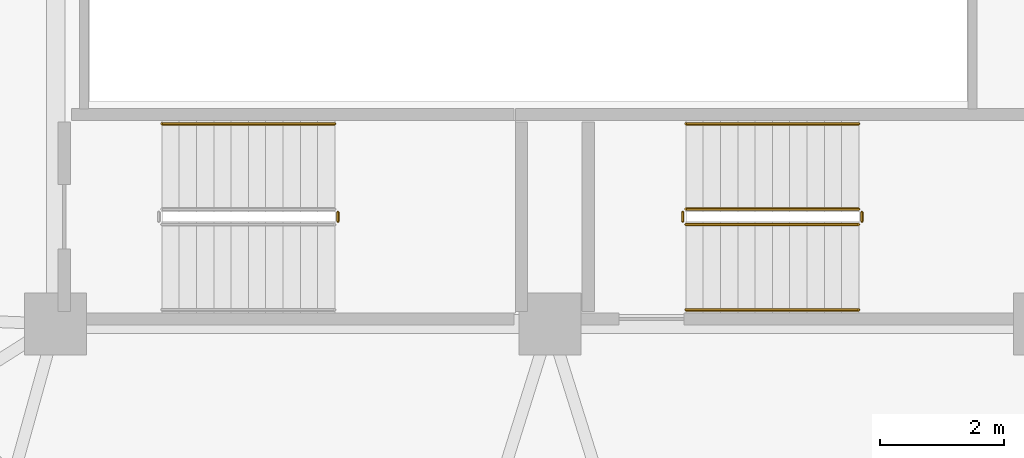
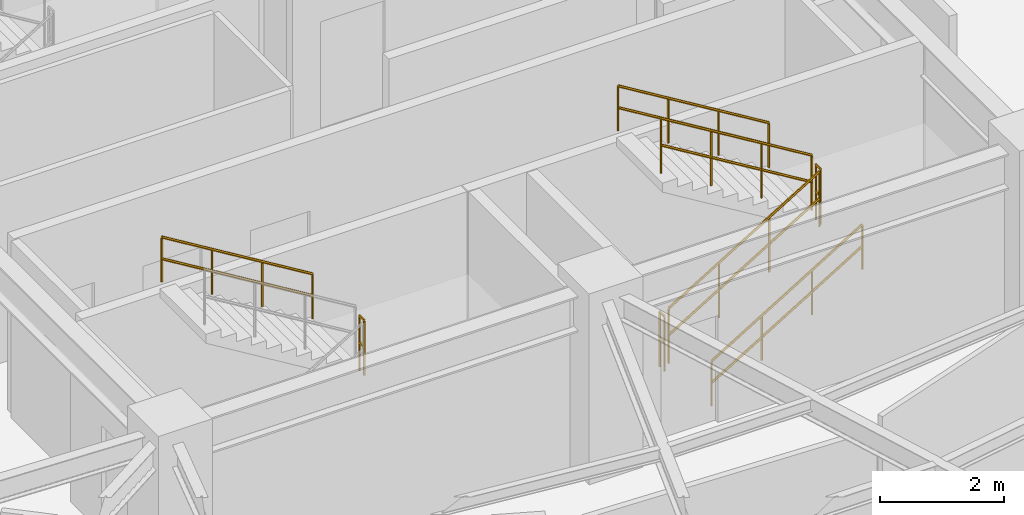
# One storey, part 29 of 31: 8 railings.
"""IFC4 building model written with IfcOpenShell, lengths in metres."""

from ifc_helpers import new_model, si_unit, direction, frame, origin, place, context, subcontext, project, spatial, polyline, outline, extrude, material, type_object, element, save


model = new_model("IFC4")

# Units and contexts
model_context = context("Model", 3, precision=1e-05, world=origin(), true_north=direction((0.0, 1.0)))
body_context = subcontext(model_context, "Body", "Model", "MODEL_VIEW")
ifc_project = project(units=[si_unit("LENGTHUNIT", "METRE"), si_unit("AREAUNIT", "SQUARE_METRE"), si_unit("VOLUMEUNIT", "CUBIC_METRE"), si_unit("PLANEANGLEUNIT", "RADIAN"), si_unit("MASSUNIT", "GRAM", prefix="KILO")], contexts=[model_context])

# Site, building, storey
site_placement = place(None, origin())
site = spatial("IfcSite", under=ifc_project, at=site_placement, CompositionType="ELEMENT")
building_placement = place(site_placement, origin())
building = spatial("IfcBuilding", under=site, at=building_placement, Name="Kelanora Arch Commons", CompositionType="ELEMENT")
storey_placement = place(building_placement, frame((0.0, 0.0, 219.449951171875)))
storey = spatial("IfcBuildingStorey", under=building, at=storey_placement, Name="L56", CompositionType="ELEMENT", Elevation=219.449951171875)

# Railings
ifc_material_1 = material(Name="Painted steel stair well guard", Category="steel")
railing_type_1 = type_object("IfcRailingType", Name="RAIL-STAIR-GRD", PredefinedType="GUARDRAIL", material=ifc_material_1)
railing_1_placement = place(storey_placement, frame((76.199951171875, 52.610107421875, 0.17041015625)))
element("IfcRailing", 1, at=railing_1_placement, inside=storey, type_object=railing_type_1, Name="L56 ST-T2 stair guard 1", PredefinedType="GUARDRAIL", context=body_context, shape_type="SweptSolid", body=[
    extrude(outline(polyline([(0.02392578125, 0.0), (0.011962890625, 0.020751953125), (-0.011962890625, 0.020751953125), (-0.02392578125, 0.0), (-0.011962890625, -0.020751953125), (0.011962890625, -0.020751953125), (0.02392578125, 0.0)])), frame((0.0, 0.0, 1.076171875), z_axis=(0.854169791009, 0.0, 0.51999420009), x_axis=(0.0, 1.0, 0.0)), (0.0, 0.0, 1.0), 3.278076171875),
    extrude(outline(polyline([(0.02392578125, 0.0), (0.011962890625, 0.020751953125), (-0.011962890625, 0.020751953125), (-0.02392578125, 0.0), (-0.011962890625, -0.020751953125), (0.011962890625, -0.020751953125), (0.02392578125, 0.0)])), frame((0.0, 0.0, 0.550048828125), z_axis=(0.854169791009, 0.0, 0.51999420009), x_axis=(0.0, 1.0, 0.0)), (0.0, 0.0, 1.0), 3.278076171875),
    extrude(outline(polyline([(0.02099609375, 0.0), (0.010498046875, 0.01806640625), (-0.010498046875, 0.01806640625), (-0.02099609375, 0.0), (-0.010498046875, -0.01806640625), (0.010498046875, -0.01806640625), (0.02099609375, 0.0)])), origin(), (0.0, 0.0, 1.0), 1.052001953125),
    extrude(outline(polyline([(0.02099609375, 0.0), (0.010498046875, 0.01806640625), (-0.010498046875, 0.01806640625), (-0.02099609375, 0.0), (-0.010498046875, -0.01806640625), (0.010498046875, -0.01806640625), (0.02099609375, 0.0)])), frame((0.933349609375, 0.0, 0.568115234375)), (0.0, 0.0, 1.0), 1.052001953125),
    extrude(outline(polyline([(0.02099609375, 0.0), (0.010498046875, 0.01806640625), (-0.010498046875, 0.01806640625), (-0.02099609375, 0.0), (-0.010498046875, -0.01806640625), (0.010498046875, -0.01806640625), (0.02099609375, 0.0)])), frame((1.86669921875, 0.0, 1.136474609375)), (0.0, 0.0, 1.0), 1.052001953125),
    extrude(outline(polyline([(0.02099609375, 0.0), (0.010498046875, 0.01806640625), (-0.010498046875, 0.01806640625), (-0.02099609375, 0.0), (-0.010498046875, -0.01806640625), (0.010498046875, -0.01806640625), (0.02099609375, 0.0)])), frame((2.800048828125, 0.0, 1.70458984375)), (0.0, 0.0, 1.0), 1.052001953125),
])
railing_2_placement = place(storey_placement, frame((79.050048828125, 52.659912109375, 1.875)))
element("IfcRailing", 2, at=railing_2_placement, inside=storey, type_object=railing_type_1, Name="L56 ST-T2 stair guard 2", PredefinedType="GUARDRAIL", context=body_context, shape_type="SweptSolid", body=[
    extrude(outline(polyline([(0.02392578125, 0.0), (0.011962890625, 0.020751953125), (-0.011962890625, 0.020751953125), (-0.02392578125, 0.0), (-0.011962890625, -0.020751953125), (0.011962890625, -0.020751953125), (0.02392578125, 0.0)])), frame((0.0, 0.0, 1.076171875), z_axis=(0.0, 1.0, 0.0), x_axis=(-1.0, 0.0, 0.0)), (0.0, 0.0, 1.0), 0.150146484375),
    extrude(outline(polyline([(0.02392578125, 0.0), (0.011962890625, 0.020751953125), (-0.011962890625, 0.020751953125), (-0.02392578125, 0.0), (-0.011962890625, -0.020751953125), (0.011962890625, -0.020751953125), (0.02392578125, 0.0)])), frame((0.0, 0.0, 0.550048828125), z_axis=(0.0, 1.0, 0.0), x_axis=(-1.0, 0.0, 0.0)), (0.0, 0.0, 1.0), 0.150146484375),
    extrude(outline(polyline([(0.02099609375, 0.0), (0.010498046875, 0.01806640625), (-0.010498046875, 0.01806640625), (-0.02099609375, 0.0), (-0.010498046875, -0.01806640625), (0.010498046875, -0.01806640625), (0.02099609375, 0.0)])), origin(), (0.0, 0.0, 1.0), 1.052001953125),
    extrude(outline(polyline([(0.02099609375, 0.0), (0.010498046875, 0.01806640625), (-0.010498046875, 0.01806640625), (-0.02099609375, 0.0), (-0.010498046875, -0.01806640625), (0.010498046875, -0.01806640625), (0.02099609375, 0.0)])), frame((0.0, 0.150146484375, 0.0)), (0.0, 0.0, 1.0), 1.052001953125),
])
railing_3_placement = place(storey_placement, frame((79.0, 52.860107421875, 2.04541015625)))
element("IfcRailing", 3, at=railing_3_placement, inside=storey, type_object=railing_type_1, Name="L56 ST-T2 stair guard 3", PredefinedType="GUARDRAIL", context=body_context, shape_type="SweptSolid", body=[
    extrude(outline(polyline([(0.02392578125, 0.0), (0.011962890625, 0.020751953125), (-0.011962890625, 0.020751953125), (-0.02392578125, 0.0), (-0.011962890625, -0.020751953125), (0.011962890625, -0.020751953125), (0.02392578125, 0.0)])), frame((0.0, 0.0, 1.076171875), z_axis=(-0.854169791009, 0.0, 0.51999420009), x_axis=(0.0, -1.0, 0.0)), (0.0, 0.0, 1.0), 3.278076171875),
    extrude(outline(polyline([(0.02392578125, 0.0), (0.011962890625, 0.020751953125), (-0.011962890625, 0.020751953125), (-0.02392578125, 0.0), (-0.011962890625, -0.020751953125), (0.011962890625, -0.020751953125), (0.02392578125, 0.0)])), frame((0.0, 0.0, 0.550048828125), z_axis=(-0.854169791009, 0.0, 0.51999420009), x_axis=(0.0, -1.0, 0.0)), (0.0, 0.0, 1.0), 3.278076171875),
    extrude(outline(polyline([(0.02099609375, 0.0), (0.010498046875, 0.01806640625), (-0.010498046875, 0.01806640625), (-0.02099609375, 0.0), (-0.010498046875, -0.01806640625), (0.010498046875, -0.01806640625), (0.02099609375, 0.0)])), origin(), (0.0, 0.0, 1.0), 1.052001953125),
    extrude(outline(polyline([(0.02099609375, 0.0), (0.010498046875, 0.01806640625), (-0.010498046875, 0.01806640625), (-0.02099609375, 0.0), (-0.010498046875, -0.01806640625), (0.010498046875, -0.01806640625), (0.02099609375, 0.0)])), frame((-0.933349609375, 0.0, 0.568115234375)), (0.0, 0.0, 1.0), 1.052001953125),
    extrude(outline(polyline([(0.02099609375, 0.0), (0.010498046875, 0.01806640625), (-0.010498046875, 0.01806640625), (-0.02099609375, 0.0), (-0.010498046875, -0.01806640625), (0.010498046875, -0.01806640625), (0.02099609375, 0.0)])), frame((-1.86669921875, 0.0, 1.136474609375)), (0.0, 0.0, 1.0), 1.052001953125),
    extrude(outline(polyline([(0.02099609375, 0.0), (0.010498046875, 0.01806640625), (-0.010498046875, 0.01806640625), (-0.02099609375, 0.0), (-0.010498046875, -0.01806640625), (0.010498046875, -0.01806640625), (0.02099609375, 0.0)])), frame((-2.800048828125, 0.0, 1.70458984375)), (0.0, 0.0, 1.0), 1.052001953125),
])
for number, where, name in (
    (4, (76.14990234375, 52.659912109375, 0.0), "L56 ST-T2 stair guard 4"),
    (5, (70.570068359375, 52.659912109375, 1.875), "L56 ST-T3 stair guard 2"),
):
    element("IfcRailing", number, at=place(storey_placement, frame(where)), inside=storey, type_object=railing_type_1, Name=name, PredefinedType="GUARDRAIL", context=body_context, shape_type="SweptSolid", body=[
        extrude(outline(polyline([(0.02392578125, 0.0), (0.011962890625, 0.020751953125), (-0.011962890625, 0.020751953125), (-0.02392578125, 0.0), (-0.011962890625, -0.020751953125), (0.011962890625, -0.020751953125), (0.02392578125, 0.0)])), frame((0.0, 0.0, 1.076171875), z_axis=(0.0, 1.0, 0.0), x_axis=(-1.0, 0.0, 0.0)), (0.0, 0.0, 1.0), 0.150146484375),
        extrude(outline(polyline([(0.02392578125, 0.0), (0.011962890625, 0.020751953125), (-0.011962890625, 0.020751953125), (-0.02392578125, 0.0), (-0.011962890625, -0.020751953125), (0.011962890625, -0.020751953125), (0.02392578125, 0.0)])), frame((0.0, 0.0, 0.550048828125), z_axis=(0.0, 1.0, 0.0), x_axis=(-1.0, 0.0, 0.0)), (0.0, 0.0, 1.0), 0.150146484375),
        extrude(outline(polyline([(0.02099609375, 0.0), (0.010498046875, 0.01806640625), (-0.010498046875, 0.01806640625), (-0.02099609375, 0.0), (-0.010498046875, -0.01806640625), (0.010498046875, -0.01806640625), (0.02099609375, 0.0)])), origin(), (0.0, 0.0, 1.0), 1.052001953125),
        extrude(outline(polyline([(0.02099609375, 0.0), (0.010498046875, 0.01806640625), (-0.010498046875, 0.01806640625), (-0.02099609375, 0.0), (-0.010498046875, -0.01806640625), (0.010498046875, -0.01806640625), (0.02099609375, 0.0)])), frame((0.0, 0.150146484375, 0.0)), (0.0, 0.0, 1.0), 1.052001953125),
    ])
ifc_material_2 = material(Name="Brushed stainless steel stair handrail", Category="steel")
railing_type_2 = type_object("IfcRailingType", Name="RAIL-STAIR-HND", PredefinedType="HANDRAIL", material=ifc_material_2)
railing_4_placement = place(storey_placement, frame((76.199951171875, 51.22998046875, 0.17041015625)))
element("IfcRailing", 6, at=railing_4_placement, inside=storey, type_object=railing_type_2, Name="L56 ST-T2 stair handrail 1", PredefinedType="HANDRAIL", context=body_context, shape_type="SweptSolid", body=[
    extrude(outline(polyline([(0.02392578125, 0.0), (0.011962890625, 0.020751953125), (-0.011962890625, 0.020751953125), (-0.02392578125, 0.0), (-0.011962890625, -0.020751953125), (0.011962890625, -0.020751953125), (0.02392578125, 0.0)])), frame((0.0, 0.0, 0.8759765625), z_axis=(0.854169791009, 0.0, 0.51999420009), x_axis=(0.0, 1.0, 0.0)), (0.0, 0.0, 1.0), 3.278076171875),
    extrude(outline(polyline([(0.02392578125, 0.0), (0.011962890625, 0.020751953125), (-0.011962890625, 0.020751953125), (-0.02392578125, 0.0), (-0.011962890625, -0.020751953125), (0.011962890625, -0.020751953125), (0.02392578125, 0.0)])), frame((0.0, 0.0, 0.449951171875), z_axis=(0.854169791009, 0.0, 0.51999420009), x_axis=(0.0, 1.0, 0.0)), (0.0, 0.0, 1.0), 3.278076171875),
    extrude(outline(polyline([(0.02099609375, 0.0), (0.010498046875, 0.01806640625), (-0.010498046875, 0.01806640625), (-0.02099609375, 0.0), (-0.010498046875, -0.01806640625), (0.010498046875, -0.01806640625), (0.02099609375, 0.0)])), origin(), (0.0, 0.0, 1.0), 0.851806640625),
    extrude(outline(polyline([(0.02099609375, 0.0), (0.010498046875, 0.01806640625), (-0.010498046875, 0.01806640625), (-0.02099609375, 0.0), (-0.010498046875, -0.01806640625), (0.010498046875, -0.01806640625), (0.02099609375, 0.0)])), frame((0.933349609375, 0.0, 0.568115234375)), (0.0, 0.0, 1.0), 0.851806640625),
    extrude(outline(polyline([(0.02099609375, 0.0), (0.010498046875, 0.01806640625), (-0.010498046875, 0.01806640625), (-0.02099609375, 0.0), (-0.010498046875, -0.01806640625), (0.010498046875, -0.01806640625), (0.02099609375, 0.0)])), frame((1.86669921875, 0.0, 1.136474609375)), (0.0, 0.0, 1.0), 0.851806640625),
    extrude(outline(polyline([(0.02099609375, 0.0), (0.010498046875, 0.01806640625), (-0.010498046875, 0.01806640625), (-0.02099609375, 0.0), (-0.010498046875, -0.01806640625), (0.010498046875, -0.01806640625), (0.02099609375, 0.0)])), frame((2.800048828125, 0.0, 1.70458984375)), (0.0, 0.0, 1.0), 0.851806640625),
])
railing_5_placement = place(storey_placement, frame((79.0, 54.239990234375, 2.04541015625)))
element("IfcRailing", 7, at=railing_5_placement, inside=storey, type_object=railing_type_2, Name="L56 ST-T2 stair handrail 2", PredefinedType="HANDRAIL", context=body_context, shape_type="SweptSolid", body=[
    extrude(outline(polyline([(0.02392578125, 0.0), (0.011962890625, 0.020751953125), (-0.011962890625, 0.020751953125), (-0.02392578125, 0.0), (-0.011962890625, -0.020751953125), (0.011962890625, -0.020751953125), (0.02392578125, 0.0)])), frame((0.0, 0.0, 0.8759765625), z_axis=(-0.854169791009, 0.0, 0.51999420009), x_axis=(0.0, -1.0, 0.0)), (0.0, 0.0, 1.0), 3.278076171875),
    extrude(outline(polyline([(0.02392578125, 0.0), (0.011962890625, 0.020751953125), (-0.011962890625, 0.020751953125), (-0.02392578125, 0.0), (-0.011962890625, -0.020751953125), (0.011962890625, -0.020751953125), (0.02392578125, 0.0)])), frame((0.0, 0.0, 0.449951171875), z_axis=(-0.854169791009, 0.0, 0.51999420009), x_axis=(0.0, -1.0, 0.0)), (0.0, 0.0, 1.0), 3.278076171875),
    extrude(outline(polyline([(0.02099609375, 0.0), (0.010498046875, 0.01806640625), (-0.010498046875, 0.01806640625), (-0.02099609375, 0.0), (-0.010498046875, -0.01806640625), (0.010498046875, -0.01806640625), (0.02099609375, 0.0)])), origin(), (0.0, 0.0, 1.0), 0.851806640625),
    extrude(outline(polyline([(0.02099609375, 0.0), (0.010498046875, 0.01806640625), (-0.010498046875, 0.01806640625), (-0.02099609375, 0.0), (-0.010498046875, -0.01806640625), (0.010498046875, -0.01806640625), (0.02099609375, 0.0)])), frame((-0.933349609375, 0.0, 0.568115234375)), (0.0, 0.0, 1.0), 0.851806640625),
    extrude(outline(polyline([(0.02099609375, 0.0), (0.010498046875, 0.01806640625), (-0.010498046875, 0.01806640625), (-0.02099609375, 0.0), (-0.010498046875, -0.01806640625), (0.010498046875, -0.01806640625), (0.02099609375, 0.0)])), frame((-1.86669921875, 0.0, 1.136474609375)), (0.0, 0.0, 1.0), 0.851806640625),
    extrude(outline(polyline([(0.02099609375, 0.0), (0.010498046875, 0.01806640625), (-0.010498046875, 0.01806640625), (-0.02099609375, 0.0), (-0.010498046875, -0.01806640625), (0.010498046875, -0.01806640625), (0.02099609375, 0.0)])), frame((-2.800048828125, 0.0, 1.70458984375)), (0.0, 0.0, 1.0), 0.851806640625),
])
railing_6_placement = place(storey_placement, frame((70.52001953125, 54.239990234375, 2.04541015625)))
element("IfcRailing", 8, at=railing_6_placement, inside=storey, type_object=railing_type_2, Name="L56 ST-T3 stair handrail 2", PredefinedType="HANDRAIL", context=body_context, shape_type="SweptSolid", body=[
    extrude(outline(polyline([(0.02392578125, 0.0), (0.011962890625, 0.020751953125), (-0.011962890625, 0.020751953125), (-0.02392578125, 0.0), (-0.011962890625, -0.020751953125), (0.011962890625, -0.020751953125), (0.02392578125, 0.0)])), frame((0.0, 0.0, 0.8759765625), z_axis=(-0.854169791009, 0.0, 0.51999420009), x_axis=(0.0, -1.0, 0.0)), (0.0, 0.0, 1.0), 3.278076171875),
    extrude(outline(polyline([(0.02392578125, 0.0), (0.011962890625, 0.020751953125), (-0.011962890625, 0.020751953125), (-0.02392578125, 0.0), (-0.011962890625, -0.020751953125), (0.011962890625, -0.020751953125), (0.02392578125, 0.0)])), frame((0.0, 0.0, 0.449951171875), z_axis=(-0.854169791009, 0.0, 0.51999420009), x_axis=(0.0, -1.0, 0.0)), (0.0, 0.0, 1.0), 3.278076171875),
    extrude(outline(polyline([(0.02099609375, 0.0), (0.010498046875, 0.01806640625), (-0.010498046875, 0.01806640625), (-0.02099609375, 0.0), (-0.010498046875, -0.01806640625), (0.010498046875, -0.01806640625), (0.02099609375, 0.0)])), origin(), (0.0, 0.0, 1.0), 0.851806640625),
    extrude(outline(polyline([(0.02099609375, 0.0), (0.010498046875, 0.01806640625), (-0.010498046875, 0.01806640625), (-0.02099609375, 0.0), (-0.010498046875, -0.01806640625), (0.010498046875, -0.01806640625), (0.02099609375, 0.0)])), frame((-0.933349609375, 0.0, 0.568115234375)), (0.0, 0.0, 1.0), 0.851806640625),
    extrude(outline(polyline([(0.02099609375, 0.0), (0.010498046875, 0.01806640625), (-0.010498046875, 0.01806640625), (-0.02099609375, 0.0), (-0.010498046875, -0.01806640625), (0.010498046875, -0.01806640625), (0.02099609375, 0.0)])), frame((-1.86669921875, 0.0, 1.136474609375)), (0.0, 0.0, 1.0), 0.851806640625),
    extrude(outline(polyline([(0.02099609375, 0.0), (0.010498046875, 0.01806640625), (-0.010498046875, 0.01806640625), (-0.02099609375, 0.0), (-0.010498046875, -0.01806640625), (0.010498046875, -0.01806640625), (0.02099609375, 0.0)])), frame((-2.800048828125, 0.0, 1.70458984375)), (0.0, 0.0, 1.0), 0.851806640625),
])

save(model, "model.ifc")
